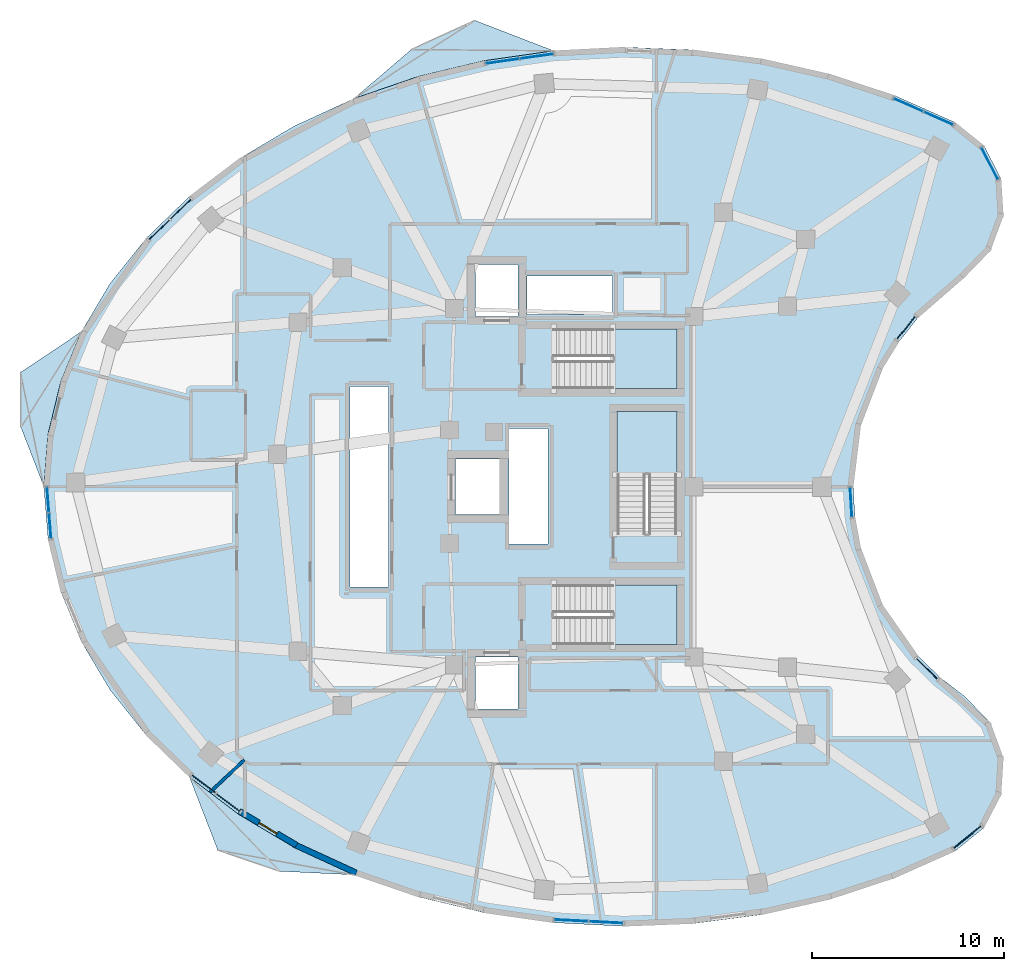
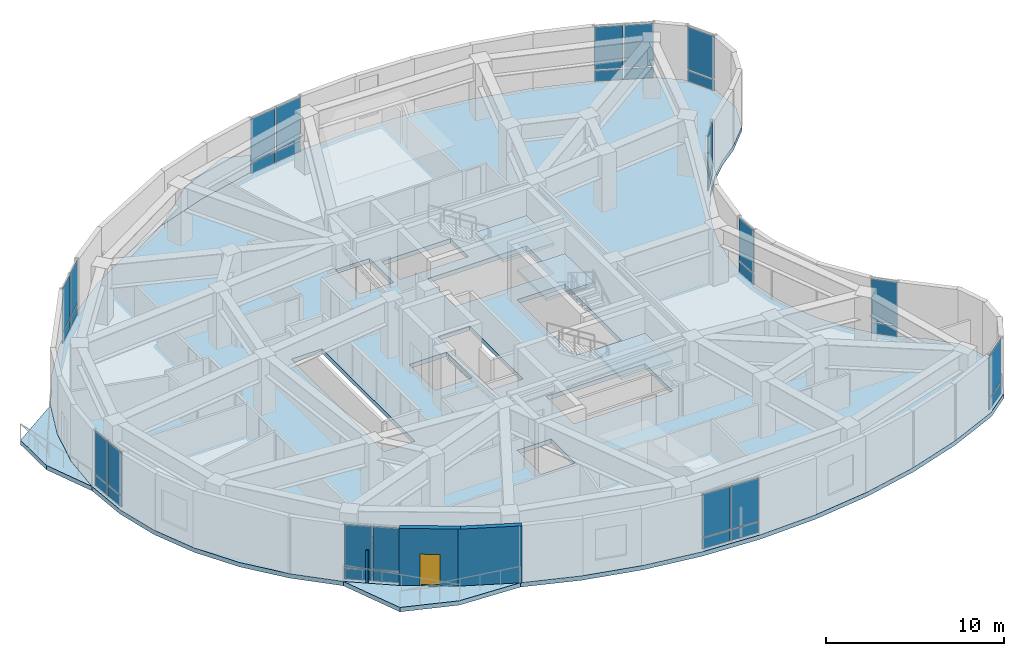
# One storey, part 7 of 14: 34 plates, 7 slabs, 3 walls, 1 door, 1 opening, 14 elements without a shape of their own.
"""IFC4 building model written with IfcOpenShell, lengths in metres."""

import ifcopenshell
import ifcopenshell.guid

model = None  # the IFC model being written
_history = None  # IfcOwnerHistory: only IFC2X3 demands one
_inside = {}  # id of a spatial element -> (the spatial element, [elements in it])
_under = {}  # id of a project, library or spatial element -> (it, [spatial elements below it])
_declared = {}  # id of a project -> (the project, [libraries it declares])
_typed = {}  # id of a type object -> (the type object, [elements of that type])
_made_of = {}  # id of a material, layer set ... -> (it, [elements and type objects made of it])


def new_model(schema):
    """Start an empty IFC model of exactly this schema.

    Asked for "IFC4X3", IfcOpenShell would pick the latest addendum, in which some entities
    have other attributes; the version numbers below select the first issue.
    IFC2X3 requires an IfcOwnerHistory on every rooted entity: one is made here for all.
    """
    global model, _history
    if schema == "IFC4X3":
        model = ifcopenshell.file(schema_version=(4, 3, 0, 0))
    else:
        model = ifcopenshell.file(schema=schema)
    _inside.clear()
    _under.clear()
    _declared.clear()
    _typed.clear()
    _made_of.clear()
    _history = None
    if model.schema == "IFC2X3":
        org = make("IfcOrganization", Name="unknown")
        user = make(
            "IfcPersonAndOrganization",
            ThePerson=make("IfcPerson", FamilyName="unknown"),
            TheOrganization=org,
        )
        app = make(
            "IfcApplication",
            ApplicationDeveloper=org,
            Version="unknown",
            ApplicationFullName="unknown",
            ApplicationIdentifier="unknown",
        )
        _history = make(
            "IfcOwnerHistory",
            OwningUser=user,
            OwningApplication=app,
            ChangeAction="ADDED",
            CreationDate=0,
        )
    return model


def make(cls, **values):
    """One entity of the class cls with the attributes given. An attribute that is None is left unset."""
    return model.create_entity(
        cls, **{name: value for name, value in values.items() if value is not None}
    )


def rooted(cls, **values):
    """An entity with a GlobalId (a new one), such as an element, a storey or a relation."""
    return make(cls, GlobalId=ifcopenshell.guid.new(), OwnerHistory=_history, **values)


def si_unit(unit_type, name, prefix=None):
    """IfcSIUnit, for example si_unit("LENGTHUNIT", "METRE", prefix="MILLI")."""
    return make("IfcSIUnit", UnitType=unit_type, Prefix=prefix, Name=name)


def assignment(units):
    """IfcUnitAssignment: the units of a project."""
    return None if units is None else make("IfcUnitAssignment", Units=units)


def point(xyz):
    """IfcCartesianPoint."""
    return None if xyz is None else make("IfcCartesianPoint", Coordinates=xyz)


def direction(xyz):
    """IfcDirection."""
    return None if xyz is None else make("IfcDirection", DirectionRatios=xyz)


def frame(location, z_axis=None, x_axis=None):
    """IfcAxis2Placement3D, a coordinate frame: its origin and axes. An axis left out is left unset."""
    return make(
        "IfcAxis2Placement3D",
        Location=point(location),
        Axis=direction(z_axis),
        RefDirection=direction(x_axis),
    )


def frame_2d(location, x_axis=None):
    """IfcAxis2Placement2D, a coordinate frame in the plane: its origin and x axis."""
    return make(
        "IfcAxis2Placement2D", Location=point(location), RefDirection=direction(x_axis)
    )


def origin():
    """The frame at (0, 0, 0) with its axes left unset."""
    return frame((0.0, 0.0, 0.0))


def origin_2d():
    """The frame at (0, 0) in the plane with its x axis left unset."""
    return frame_2d((0.0, 0.0))


def place(relative_to, where):
    """IfcLocalPlacement: puts the frame where relative to a parent placement (None: the world)."""
    return make(
        "IfcLocalPlacement", PlacementRelTo=relative_to, RelativePlacement=where
    )


def context(
    kind, dimensions, precision=None, world=None, true_north=None, identifier=None
):
    """IfcGeometricRepresentationContext, for example the 3D "Model" context."""
    return make(
        "IfcGeometricRepresentationContext",
        ContextIdentifier=identifier,
        ContextType=kind,
        CoordinateSpaceDimension=dimensions,
        Precision=precision,
        WorldCoordinateSystem=world,
        TrueNorth=true_north,
    )


def subcontext(parent, identifier, kind, view, scale=None):
    """IfcGeometricRepresentationSubContext, for example "Body" below "Model"."""
    return make(
        "IfcGeometricRepresentationSubContext",
        ContextIdentifier=identifier,
        ContextType=kind,
        ParentContext=parent,
        TargetScale=scale,
        TargetView=view,
    )


def project(units=None, contexts=None):
    """IfcProject with its units and contexts."""
    return rooted(
        "IfcProject",
        Name="project",
        RepresentationContexts=contexts,
        UnitsInContext=assignment(units),
    )


def spatial(cls, under=None, at=None, **own):
    """A site, building, storey or space (cls), placed at a placement, below another one or the project."""
    s = rooted(cls, ObjectPlacement=at, **own)
    if under is not None:
        _under.setdefault(under.id(), (under, []))[1].append(s)
    return s


def polyline(points):
    """IfcPolyline through the points."""
    return make("IfcPolyline", Points=[point(p) for p in points])


def profile(cls, at=None, kind="AREA", **sizes):
    """A parametric profile (cls). Its sizes go by their IFC names, for example OverallWidth=200.0."""
    return make(cls, ProfileType=kind, Position=at, **sizes)


def rectangle(**sizes):
    """IfcRectangleProfileDef."""
    return profile("IfcRectangleProfileDef", **sizes)


def outline(outer, holes=None, kind="AREA"):
    """IfcArbitraryClosedProfileDef: a profile drawn as a closed curve; with holes, ...WithVoids."""
    if holes is None:
        return make("IfcArbitraryClosedProfileDef", ProfileType=kind, OuterCurve=outer)
    return make(
        "IfcArbitraryProfileDefWithVoids",
        ProfileType=kind,
        OuterCurve=outer,
        InnerCurves=holes,
    )


def extrude(swept, where, along, depth):
    """IfcExtrudedAreaSolid: the profile swept, set in the frame where, extruded along a direction by depth."""
    return make(
        "IfcExtrudedAreaSolid",
        SweptArea=swept,
        Position=where,
        ExtrudedDirection=direction(along),
        Depth=depth,
    )


def shape(context_of_items, identifier, shape_type, items):
    """IfcShapeRepresentation: the items that make up one representation, for example the "Body"."""
    return make(
        "IfcShapeRepresentation",
        ContextOfItems=context_of_items,
        RepresentationIdentifier=identifier,
        RepresentationType=shape_type,
        Items=items,
    )


def material(Name=None, Category=None):
    """IfcMaterial."""
    return make("IfcMaterial", Name=Name, Category=Category)


def layer(
    of_material, thickness, ventilated=None, Name=None, Category=None, Priority=None
):
    """IfcMaterialLayer: one layer of a wall or slab, of a material (None: an air gap)."""
    return make(
        "IfcMaterialLayer",
        Material=of_material,
        LayerThickness=thickness,
        IsVentilated=ventilated,
        Name=Name,
        Category=Category,
        Priority=Priority,
    )


def layer_set(layers, Name=None):
    """IfcMaterialLayerSet."""
    return make("IfcMaterialLayerSet", MaterialLayers=layers, LayerSetName=Name)


def made_of(thing, what):
    """Note that an element or type object is made of a material, layer set ...; save() writes the relation."""
    if what is not None:
        _made_of.setdefault(what.id(), (what, []))[1].append(thing)
    return thing


def type_object(cls, material=None, **own):
    """A type object (cls), such as IfcWallType, which elements share."""
    return made_of(rooted(cls, **own), material)


def element(
    cls,
    number,
    at=None,
    inside=None,
    cuts=None,
    type_object=None,
    material=None,
    context=None,
    identifier="Body",
    shape_type=None,
    held_by="IfcProductDefinitionShape",
    body=None,
    shapes=None,
    **own,
):
    """One element of the class cls, such as IfcWall. Its Tag is "e" and its number.

    at: its placement. inside: the storey or other place that contains it. cuts: it is an
    opening in that element (IfcRelVoidsElement). A single representation is given by context,
    identifier, shape_type and body (its items); several are given by shapes. held_by: the class
    of the entity that holds the representations. save() writes the other relations.
    """
    e = rooted(cls, Tag="e%d" % number, ObjectPlacement=at, **own)
    if body is not None:
        shapes = [shape(context, identifier, shape_type, body)]
    if shapes is not None:
        e.Representation = make(held_by, Representations=shapes)
    if inside is not None:
        _inside.setdefault(inside.id(), (inside, []))[1].append(e)
    if cuts is not None:
        rooted(
            "IfcRelVoidsElement", RelatingBuildingElement=cuts, RelatedOpeningElement=e
        )
    if type_object is not None:
        _typed.setdefault(type_object.id(), (type_object, []))[1].append(e)
    return made_of(e, material)


def fill(opening, filler):
    """IfcRelFillsElement: the door or window that sits in an opening."""
    return rooted(
        "IfcRelFillsElement",
        RelatingOpeningElement=opening,
        RelatedBuildingElement=filler,
    )


def aggregate(whole, parts):
    """IfcRelAggregates: a whole, such as a stair, and the parts it consists of."""
    return rooted("IfcRelAggregates", RelatingObject=whole, RelatedObjects=parts)


def save(model, path):
    """Write the relations noted so far, then the file.

    IfcRelAggregates (storeys below a building ...), IfcRelContainedInSpatialStructure (elements
    in a storey), IfcRelDefinesByType, IfcRelAssociatesMaterial and IfcRelDeclares: one each for
    every whole, place, type object, material and project.
    """
    for whole, parts in _under.values():
        aggregate(whole, parts)
    for where, things in _inside.values():
        rooted(
            "IfcRelContainedInSpatialStructure",
            RelatedElements=things,
            RelatingStructure=where,
        )
    for kind, things in _typed.values():
        rooted("IfcRelDefinesByType", RelatedObjects=things, RelatingType=kind)
    for what, things in _made_of.values():
        rooted("IfcRelAssociatesMaterial", RelatedObjects=things, RelatingMaterial=what)
    for by, libraries in _declared.values():
        rooted("IfcRelDeclares", RelatingContext=by, RelatedDefinitions=libraries)
    model.write(path)


model = new_model("IFC4")

# Units and contexts
model_context = context("Model", 3, precision=1e-05, world=origin(), true_north=direction((0.0, 1.0)))
body_context = subcontext(model_context, "Body", "Model", "MODEL_VIEW")
ifc_project = project(units=[si_unit("LENGTHUNIT", "METRE"), si_unit("AREAUNIT", "SQUARE_METRE"), si_unit("VOLUMEUNIT", "CUBIC_METRE"), si_unit("PLANEANGLEUNIT", "RADIAN"), si_unit("MASSUNIT", "GRAM", prefix="KILO")], contexts=[model_context])

# Site, building, storey
site_placement = place(None, origin())
site = spatial("IfcSite", under=ifc_project, at=site_placement, CompositionType="ELEMENT")
building_placement = place(site_placement, origin())
building = spatial("IfcBuilding", under=site, at=building_placement, Name="Korentha Bioscience Tower", CompositionType="ELEMENT")
storey_placement = place(building_placement, frame((0.0, 0.0, 239.39990234375)))
storey = spatial("IfcBuildingStorey", under=building, at=storey_placement, Name="L55", CompositionType="ELEMENT", Elevation=239.39990234375)

# Curtain wall, plates
ifc_material_1 = material(Name="Thermally Broken Aluminium Frame", Category="aluminium")
ifc_layer_1 = layer(ifc_material_1, 0.219970703125, Name="Thermally Broken Aluminium Frame")
ifc_layer_set_1 = layer_set([ifc_layer_1], Name="Thermally Broken Aluminium Frame (CW-T1)")
curtain_wall_type = type_object("IfcCurtainWallType", Name="Standard Bioscience Lab Unitised Curtain Wall CW-T1", PredefinedType="USERDEFINED", material=ifc_layer_set_1)
curtain_wall_1_placement = place(storey_placement, origin())
curtain_wall_1 = element("IfcCurtainWall", 1, at=curtain_wall_1_placement, inside=storey, type_object=curtain_wall_type, Name="L55 Curtain Wall 01", ObjectType="UNITISED", PredefinedType="USERDEFINED")
ifc_material_2 = material(Name="Triple-Glazed Low-E Insulated Glass", Category="glass")
ifc_layer_2 = layer(ifc_material_2, 0.0439453125, Name="Triple-Glazed Low-E Insulated Glass")
ifc_layer_set_2 = layer_set([ifc_layer_2], Name="Triple-Glazed Low-E Insulated Glass (GL-44)")
plate_type = type_object("IfcPlateType", Name="Glazed Panel 44mm", PredefinedType="CURTAIN_PANEL", material=ifc_layer_set_2)
plate_1_placement = place(storey_placement, frame((50.25537109375, 46.142822265625, 0.08984375), z_axis=(0.0, 0.0, 1.0), x_axis=(-0.913943941578, 0.405840450983, 0.0)))
plate_1 = element("IfcPlate", 2, at=plate_1_placement, type_object=plate_type, Name="CW-L55-01 Bay 1 Glazed Panel 1", PredefinedType="CURTAIN_PANEL", context=body_context, shape_type="SweptSolid", body=[
    extrude(rectangle(XDim=1.624267578125, YDim=0.0439453125, at=origin_2d()), origin(), (0.0, 0.0, 1.0), 0.715087890625),
])
plate_2_placement = place(storey_placement, frame((50.25537109375, 46.142822265625, 0.89501953125), z_axis=(0.0, 0.0, 1.0), x_axis=(-0.913943941578, 0.405840450983, 0.0)))
plate_2 = element("IfcPlate", 3, at=plate_2_placement, type_object=plate_type, Name="CW-L55-01 Bay 1 Glazed Panel 2", PredefinedType="CURTAIN_PANEL", context=body_context, shape_type="SweptSolid", body=[
    extrude(rectangle(XDim=1.624267578125, YDim=0.0439453125, at=origin_2d()), origin(), (0.0, 0.0, 1.0), 2.9150390625),
])
plate_3_placement = place(storey_placement, frame((48.688720703125, 46.838623046875, 0.08984375), z_axis=(0.0, 0.0, 1.0), x_axis=(-0.913943941578, 0.405840450983, 0.0)))
plate_3 = element("IfcPlate", 4, at=plate_3_placement, type_object=plate_type, Name="CW-L55-01 Bay 2 Glazed Panel 1", PredefinedType="CURTAIN_PANEL", context=body_context, shape_type="SweptSolid", body=[
    extrude(rectangle(XDim=1.624267578125, YDim=0.0439453125, at=origin_2d()), origin(), (0.0, 0.0, 1.0), 0.715087890625),
])
plate_4_placement = place(storey_placement, frame((48.688720703125, 46.838623046875, 0.89501953125), z_axis=(0.0, 0.0, 1.0), x_axis=(-0.913943941578, 0.405840450983, 0.0)))
plate_4 = element("IfcPlate", 5, at=plate_4_placement, type_object=plate_type, Name="CW-L55-01 Bay 2 Glazed Panel 2", PredefinedType="CURTAIN_PANEL", context=body_context, shape_type="SweptSolid", body=[
    extrude(rectangle(XDim=1.624267578125, YDim=0.0439453125, at=origin_2d()), origin(), (0.0, 0.0, 1.0), 2.9150390625),
])
aggregate(curtain_wall_1, [plate_1, plate_2, plate_3, plate_4])

curtain_wall_2_placement = place(storey_placement, origin())
curtain_wall_2 = element("IfcCurtainWall", 6, at=curtain_wall_2_placement, inside=storey, type_object=curtain_wall_type, Name="L55 Curtain Wall 07", ObjectType="UNITISED", PredefinedType="USERDEFINED")
plate_5_placement = place(storey_placement, frame((29.373779296875, 49.370849609375, 0.08984375), z_axis=(0.0, 0.0, 1.0), x_axis=(-0.989901889134, -0.141754188259, 0.0)))
plate_5 = element("IfcPlate", 7, at=plate_5_placement, type_object=plate_type, Name="CW-L55-07 Bay 1 Glazed Panel 1", PredefinedType="CURTAIN_PANEL", context=body_context, shape_type="SweptSolid", body=[
    extrude(rectangle(XDim=1.7158203125, YDim=0.0439453125, at=origin_2d()), origin(), (0.0, 0.0, 1.0), 0.715087890625),
])
plate_6_placement = place(storey_placement, frame((29.373779296875, 49.370849609375, 0.89501953125), z_axis=(0.0, 0.0, 1.0), x_axis=(-0.989901889134, -0.141754188259, 0.0)))
plate_6 = element("IfcPlate", 8, at=plate_6_placement, type_object=plate_type, Name="CW-L55-07 Bay 1 Glazed Panel 2", PredefinedType="CURTAIN_PANEL", context=body_context, shape_type="SweptSolid", body=[
    extrude(rectangle(XDim=1.7158203125, YDim=0.0439453125, at=origin_2d()), origin(), (0.0, 0.0, 1.0), 2.9150390625),
])
plate_7_placement = place(storey_placement, frame((27.586181640625, 49.114990234375, 0.08984375), z_axis=(0.0, 0.0, 1.0), x_axis=(-0.989901889134, -0.141754188259, 0.0)))
plate_7 = element("IfcPlate", 9, at=plate_7_placement, type_object=plate_type, Name="CW-L55-07 Bay 2 Glazed Panel 1", PredefinedType="CURTAIN_PANEL", context=body_context, shape_type="SweptSolid", body=[
    extrude(rectangle(XDim=1.7158203125, YDim=0.0439453125, at=origin_2d()), origin(), (0.0, 0.0, 1.0), 0.715087890625),
])
plate_8_placement = place(storey_placement, frame((27.586181640625, 49.114990234375, 0.89501953125), z_axis=(0.0, 0.0, 1.0), x_axis=(-0.989901889134, -0.141754188259, 0.0)))
plate_8 = element("IfcPlate", 10, at=plate_8_placement, type_object=plate_type, Name="CW-L55-07 Bay 2 Glazed Panel 2", PredefinedType="CURTAIN_PANEL", context=body_context, shape_type="SweptSolid", body=[
    extrude(rectangle(XDim=1.7158203125, YDim=0.0439453125, at=origin_2d()), origin(), (0.0, 0.0, 1.0), 2.9150390625),
])
aggregate(curtain_wall_2, [plate_5, plate_6, plate_7, plate_8])

curtain_wall_3_placement = place(storey_placement, origin())
curtain_wall_3 = element("IfcCurtainWall", 11, at=curtain_wall_3_placement, inside=storey, type_object=curtain_wall_type, Name="L55 Curtain Wall 13", ObjectType="UNITISED", PredefinedType="USERDEFINED")
plate_9_placement = place(storey_placement, frame((10.87158203125, 41.42919921875, 0.08984375), z_axis=(0.0, 0.0, 1.0), x_axis=(-0.719000359175, -0.695009700297, 0.0)))
plate_9 = element("IfcPlate", 12, at=plate_9_placement, type_object=plate_type, Name="CW-L55-13 Bay 1 Glazed Panel 1", PredefinedType="CURTAIN_PANEL", context=body_context, shape_type="SweptSolid", body=[
    extrude(rectangle(XDim=1.46337890625, YDim=0.0439453125, at=origin_2d()), origin(), (0.0, 0.0, 1.0), 0.715087890625),
])
plate_10_placement = place(storey_placement, frame((10.87158203125, 41.42919921875, 0.89501953125), z_axis=(0.0, 0.0, 1.0), x_axis=(-0.719000359175, -0.695009700297, 0.0)))
plate_10 = element("IfcPlate", 13, at=plate_10_placement, type_object=plate_type, Name="CW-L55-13 Bay 1 Glazed Panel 2", PredefinedType="CURTAIN_PANEL", context=body_context, shape_type="SweptSolid", body=[
    extrude(rectangle(XDim=1.46337890625, YDim=0.0439453125, at=origin_2d()), origin(), (0.0, 0.0, 1.0), 2.9150390625),
])
plate_11_placement = place(storey_placement, frame((9.754638671875, 40.349609375, 0.08984375), z_axis=(0.0, 0.0, 1.0), x_axis=(-0.719000359175, -0.695009700297, 0.0)))
plate_11 = element("IfcPlate", 14, at=plate_11_placement, type_object=plate_type, Name="CW-L55-13 Bay 2 Glazed Panel 1", PredefinedType="CURTAIN_PANEL", context=body_context, shape_type="SweptSolid", body=[
    extrude(rectangle(XDim=1.46337890625, YDim=0.0439453125, at=origin_2d()), origin(), (0.0, 0.0, 1.0), 0.715087890625),
])
plate_12_placement = place(storey_placement, frame((9.754638671875, 40.349609375, 0.89501953125), z_axis=(0.0, 0.0, 1.0), x_axis=(-0.719000359175, -0.695009700297, 0.0)))
plate_12 = element("IfcPlate", 15, at=plate_12_placement, type_object=plate_type, Name="CW-L55-13 Bay 2 Glazed Panel 2", PredefinedType="CURTAIN_PANEL", context=body_context, shape_type="SweptSolid", body=[
    extrude(rectangle(XDim=1.46337890625, YDim=0.0439453125, at=origin_2d()), origin(), (0.0, 0.0, 1.0), 2.9150390625),
])
aggregate(curtain_wall_3, [plate_9, plate_10, plate_11, plate_12])

curtain_wall_4_placement = place(storey_placement, origin())
curtain_wall_4 = element("IfcCurtainWall", 16, at=curtain_wall_4_placement, inside=storey, type_object=curtain_wall_type, Name="L55 Curtain Wall 19", ObjectType="UNITISED", PredefinedType="USERDEFINED")
plate_13_placement = place(storey_placement, frame((3.971435546875, 26.3251953125, 0.08984375), z_axis=(0.0, 0.0, 1.0), x_axis=(0.07974803224, -0.996815053736, 0.0)))
plate_13 = element("IfcPlate", 17, at=plate_13_placement, type_object=plate_type, Name="CW-L55-19 Bay 1 Glazed Panel 1", PredefinedType="CURTAIN_PANEL", context=body_context, shape_type="SweptSolid", body=[
    extrude(rectangle(XDim=1.279541015625, YDim=0.0439453125, at=origin_2d()), origin(), (0.0, 0.0, 1.0), 0.715087890625),
])
plate_14_placement = place(storey_placement, frame((3.971435546875, 26.3251953125, 0.89501953125), z_axis=(0.0, 0.0, 1.0), x_axis=(0.07974803224, -0.996815053736, 0.0)))
plate_14 = element("IfcPlate", 18, at=plate_14_placement, type_object=plate_type, Name="CW-L55-19 Bay 1 Glazed Panel 2", PredefinedType="CURTAIN_PANEL", context=body_context, shape_type="SweptSolid", body=[
    extrude(rectangle(XDim=1.279541015625, YDim=0.0439453125, at=origin_2d()), origin(), (0.0, 0.0, 1.0), 2.9150390625),
])
plate_15_placement = place(storey_placement, frame((4.080810546875, 24.960205078125, 0.08984375), z_axis=(0.0, 0.0, 1.0), x_axis=(0.07974803224, -0.996815053736, 0.0)))
plate_15 = element("IfcPlate", 19, at=plate_15_placement, type_object=plate_type, Name="CW-L55-19 Bay 2 Glazed Panel 1", PredefinedType="CURTAIN_PANEL", context=body_context, shape_type="SweptSolid", body=[
    extrude(rectangle(XDim=1.279541015625, YDim=0.0439453125, at=origin_2d()), origin(), (0.0, 0.0, 1.0), 0.715087890625),
])
plate_16_placement = place(storey_placement, frame((4.080810546875, 24.960205078125, 0.89501953125), z_axis=(0.0, 0.0, 1.0), x_axis=(0.07974803224, -0.996815053736, 0.0)))
plate_16 = element("IfcPlate", 20, at=plate_16_placement, type_object=plate_type, Name="CW-L55-19 Bay 2 Glazed Panel 2", PredefinedType="CURTAIN_PANEL", context=body_context, shape_type="SweptSolid", body=[
    extrude(rectangle(XDim=1.279541015625, YDim=0.0439453125, at=origin_2d()), origin(), (0.0, 0.0, 1.0), 2.9150390625),
])
aggregate(curtain_wall_4, [plate_13, plate_14, plate_15, plate_16])

curtain_wall_5_placement = place(storey_placement, origin())
curtain_wall_5 = element("IfcCurtainWall", 21, at=curtain_wall_5_placement, inside=storey, type_object=curtain_wall_type, Name="L55 Curtain Wall 25", ObjectType="UNITISED", PredefinedType="USERDEFINED")
plate_17_placement = place(storey_placement, frame((12.063720703125, 11.55126953125, 0.08984375), z_axis=(0.0, 0.0, 1.0), x_axis=(0.796889131105, -0.604125576951, 0.0)))
plate_17 = element("IfcPlate", 22, at=plate_17_placement, type_object=plate_type, Name="CW-L55-25 Bay 1 Glazed Panel 1", PredefinedType="CURTAIN_PANEL", context=body_context, shape_type="SweptSolid", body=[
    extrude(rectangle(XDim=1.517822265625, YDim=0.0439453125, at=origin_2d()), origin(), (0.0, 0.0, 1.0), 0.715087890625),
])
plate_18_placement = place(storey_placement, frame((12.063720703125, 11.55126953125, 0.89501953125), z_axis=(0.0, 0.0, 1.0), x_axis=(0.796889131105, -0.604125576951, 0.0)))
plate_18 = element("IfcPlate", 23, at=plate_18_placement, type_object=plate_type, Name="CW-L55-25 Bay 1 Glazed Panel 2", PredefinedType="CURTAIN_PANEL", context=body_context, shape_type="SweptSolid", body=[
    extrude(rectangle(XDim=1.517822265625, YDim=0.0439453125, at=origin_2d()), origin(), (0.0, 0.0, 1.0), 2.9150390625),
])
plate_19_placement = place(storey_placement, frame((13.344970703125, 10.579833984375, 0.08984375), z_axis=(0.0, 0.0, 1.0), x_axis=(0.796889131105, -0.604125576951, 0.0)))
plate_19 = element("IfcPlate", 24, at=plate_19_placement, type_object=plate_type, Name="CW-L55-25 Bay 2 Glazed Panel 1", PredefinedType="CURTAIN_PANEL", context=body_context, shape_type="SweptSolid", body=[
    extrude(rectangle(XDim=1.517822265625, YDim=0.0439453125, at=origin_2d()), origin(), (0.0, 0.0, 1.0), 0.715087890625),
])
plate_20_placement = place(storey_placement, frame((13.344970703125, 10.579833984375, 0.89501953125), z_axis=(0.0, 0.0, 1.0), x_axis=(0.796889131105, -0.604125576951, 0.0)))
plate_20 = element("IfcPlate", 25, at=plate_20_placement, type_object=plate_type, Name="CW-L55-25 Bay 2 Glazed Panel 2", PredefinedType="CURTAIN_PANEL", context=body_context, shape_type="SweptSolid", body=[
    extrude(rectangle(XDim=1.517822265625, YDim=0.0439453125, at=origin_2d()), origin(), (0.0, 0.0, 1.0), 2.9150390625),
])
aggregate(curtain_wall_5, [plate_17, plate_18, plate_19, plate_20])

curtain_wall_6_placement = place(storey_placement, origin())
curtain_wall_6 = element("IfcCurtainWall", 26, at=curtain_wall_6_placement, inside=storey, type_object=curtain_wall_type, Name="L55 Curtain Wall 31", ObjectType="UNITISED", PredefinedType="USERDEFINED")
plate_21_placement = place(storey_placement, frame((31.170654296875, 4.455078125, 0.08984375), z_axis=(0.0, 0.0, 1.0), x_axis=(0.998695818107, -0.051055488397, 0.0)))
plate_21 = element("IfcPlate", 27, at=plate_21_placement, type_object=plate_type, Name="CW-L55-31 Bay 1 Glazed Panel 1", PredefinedType="CURTAIN_PANEL", context=body_context, shape_type="SweptSolid", body=[
    extrude(rectangle(XDim=1.727783203125, YDim=0.0439453125, at=origin_2d()), origin(), (0.0, 0.0, 1.0), 0.715087890625),
])
plate_22_placement = place(storey_placement, frame((31.170654296875, 4.455078125, 0.89501953125), z_axis=(0.0, 0.0, 1.0), x_axis=(0.998695818107, -0.051055488397, 0.0)))
plate_22 = element("IfcPlate", 28, at=plate_22_placement, type_object=plate_type, Name="CW-L55-31 Bay 1 Glazed Panel 2", PredefinedType="CURTAIN_PANEL", context=body_context, shape_type="SweptSolid", body=[
    extrude(rectangle(XDim=1.727783203125, YDim=0.0439453125, at=origin_2d()), origin(), (0.0, 0.0, 1.0), 2.9150390625),
])
plate_23_placement = place(storey_placement, frame((32.98583984375, 4.3623046875, 0.08984375), z_axis=(0.0, 0.0, 1.0), x_axis=(0.998695818107, -0.051055488397, 0.0)))
plate_23 = element("IfcPlate", 29, at=plate_23_placement, type_object=plate_type, Name="CW-L55-31 Bay 2 Glazed Panel 1", PredefinedType="CURTAIN_PANEL", context=body_context, shape_type="SweptSolid", body=[
    extrude(rectangle(XDim=1.727783203125, YDim=0.0439453125, at=origin_2d()), origin(), (0.0, 0.0, 1.0), 0.715087890625),
])
plate_24_placement = place(storey_placement, frame((32.98583984375, 4.3623046875, 0.89501953125), z_axis=(0.0, 0.0, 1.0), x_axis=(0.998695818107, -0.051055488397, 0.0)))
plate_24 = element("IfcPlate", 30, at=plate_24_placement, type_object=plate_type, Name="CW-L55-31 Bay 2 Glazed Panel 2", PredefinedType="CURTAIN_PANEL", context=body_context, shape_type="SweptSolid", body=[
    extrude(rectangle(XDim=1.727783203125, YDim=0.0439453125, at=origin_2d()), origin(), (0.0, 0.0, 1.0), 2.9150390625),
])
aggregate(curtain_wall_6, [plate_21, plate_22, plate_23, plate_24])

curtain_wall_7_placement = place(storey_placement, origin())
curtain_wall_7 = element("IfcCurtainWall", 31, at=curtain_wall_7_placement, inside=storey, type_object=curtain_wall_type, Name="L55 Curtain Wall 37", ObjectType="UNITISED", PredefinedType="USERDEFINED")
plate_25_placement = place(storey_placement, frame((51.76025390625, 8.790771484375, 0.08984375), z_axis=(0.0, 0.0, 1.0), x_axis=(0.779197616162, 0.626778330008, 0.0)))
plate_25 = element("IfcPlate", 32, at=plate_25_placement, type_object=plate_type, Name="CW-L55-37 Bay 1 Glazed Panel 1", PredefinedType="CURTAIN_PANEL", context=body_context, shape_type="SweptSolid", body=[
    extrude(rectangle(XDim=1.83154296875, YDim=0.0439453125, at=origin_2d()), origin(), (0.0, 0.0, 1.0), 0.715087890625),
])
plate_26_placement = place(storey_placement, frame((51.76025390625, 8.790771484375, 0.89501953125), z_axis=(0.0, 0.0, 1.0), x_axis=(0.779197616162, 0.626778330008, 0.0)))
plate_26 = element("IfcPlate", 33, at=plate_26_placement, type_object=plate_type, Name="CW-L55-37 Bay 1 Glazed Panel 2", PredefinedType="CURTAIN_PANEL", context=body_context, shape_type="SweptSolid", body=[
    extrude(rectangle(XDim=1.83154296875, YDim=0.0439453125, at=origin_2d()), origin(), (0.0, 0.0, 1.0), 2.9150390625),
])
aggregate(curtain_wall_7, [plate_25, plate_26])

curtain_wall_8_placement = place(storey_placement, origin())
curtain_wall_8 = element("IfcCurtainWall", 34, at=curtain_wall_8_placement, inside=storey, type_object=curtain_wall_type, Name="L55 Curtain Wall 43", ObjectType="UNITISED", PredefinedType="USERDEFINED")
plate_27_placement = place(storey_placement, frame((49.651611328125, 17.537109375, 0.08984375), z_axis=(0.0, 0.0, 1.0), x_axis=(-0.713258270268, 0.700901305388, 0.0)))
plate_27 = element("IfcPlate", 35, at=plate_27_placement, type_object=plate_type, Name="CW-L55-43 Bay 1 Glazed Panel 1", PredefinedType="CURTAIN_PANEL", context=body_context, shape_type="SweptSolid", body=[
    extrude(rectangle(XDim=1.50341796875, YDim=0.0439453125, at=origin_2d()), origin(), (0.0, 0.0, 1.0), 0.715087890625),
])
plate_28_placement = place(storey_placement, frame((49.651611328125, 17.537109375, 0.89501953125), z_axis=(0.0, 0.0, 1.0), x_axis=(-0.713258270268, 0.700901305388, 0.0)))
plate_28 = element("IfcPlate", 36, at=plate_28_placement, type_object=plate_type, Name="CW-L55-43 Bay 1 Glazed Panel 2", PredefinedType="CURTAIN_PANEL", context=body_context, shape_type="SweptSolid", body=[
    extrude(rectangle(XDim=1.50341796875, YDim=0.0439453125, at=origin_2d()), origin(), (0.0, 0.0, 1.0), 2.9150390625),
])
aggregate(curtain_wall_8, [plate_27, plate_28])

curtain_wall_9_placement = place(storey_placement, origin())
curtain_wall_9 = element("IfcCurtainWall", 37, at=curtain_wall_9_placement, inside=storey, type_object=curtain_wall_type, Name="L55 Curtain Wall 49", ObjectType="UNITISED", PredefinedType="USERDEFINED")
plate_29_placement = place(storey_placement, frame((45.708251953125, 26.190185546875, 0.08984375), z_axis=(0.0, 0.0, 1.0), x_axis=(-0.06095424178, 0.998140561449, 0.0)))
plate_29 = element("IfcPlate", 38, at=plate_29_placement, type_object=plate_type, Name="CW-L55-49 Bay 1 Glazed Panel 1", PredefinedType="CURTAIN_PANEL", context=body_context, shape_type="SweptSolid", body=[
    extrude(rectangle(XDim=1.503173828125, YDim=0.0439453125, at=origin_2d()), origin(), (0.0, 0.0, 1.0), 0.715087890625),
])
plate_30_placement = place(storey_placement, frame((45.708251953125, 26.190185546875, 0.89501953125), z_axis=(0.0, 0.0, 1.0), x_axis=(-0.06095424178, 0.998140561449, 0.0)))
plate_30 = element("IfcPlate", 39, at=plate_30_placement, type_object=plate_type, Name="CW-L55-49 Bay 1 Glazed Panel 2", PredefinedType="CURTAIN_PANEL", context=body_context, shape_type="SweptSolid", body=[
    extrude(rectangle(XDim=1.503173828125, YDim=0.0439453125, at=origin_2d()), origin(), (0.0, 0.0, 1.0), 2.9150390625),
])
aggregate(curtain_wall_9, [plate_29, plate_30])

curtain_wall_10_placement = place(storey_placement, origin())
curtain_wall_10 = element("IfcCurtainWall", 40, at=curtain_wall_10_placement, inside=storey, type_object=curtain_wall_type, Name="L55 Curtain Wall 55", ObjectType="UNITISED", PredefinedType="USERDEFINED")
plate_31_placement = place(storey_placement, frame((48.567626953125, 35.259033203125, 0.08984375), z_axis=(0.0, 0.0, 1.0), x_axis=(0.622511989066, 0.782610262819, 0.0)))
plate_31 = element("IfcPlate", 41, at=plate_31_placement, type_object=plate_type, Name="CW-L55-55 Bay 1 Glazed Panel 1", PredefinedType="CURTAIN_PANEL", context=body_context, shape_type="SweptSolid", body=[
    extrude(rectangle(XDim=1.50341796875, YDim=0.0439453125, at=origin_2d()), origin(), (0.0, 0.0, 1.0), 0.715087890625),
])
plate_32_placement = place(storey_placement, frame((48.567626953125, 35.259033203125, 0.89501953125), z_axis=(0.0, 0.0, 1.0), x_axis=(0.622511989066, 0.782610262819, 0.0)))
plate_32 = element("IfcPlate", 42, at=plate_32_placement, type_object=plate_type, Name="CW-L55-55 Bay 1 Glazed Panel 2", PredefinedType="CURTAIN_PANEL", context=body_context, shape_type="SweptSolid", body=[
    extrude(rectangle(XDim=1.50341796875, YDim=0.0439453125, at=origin_2d()), origin(), (0.0, 0.0, 1.0), 2.9150390625),
])
aggregate(curtain_wall_10, [plate_31, plate_32])

curtain_wall_11_placement = place(storey_placement, origin())
curtain_wall_11 = element("IfcCurtainWall", 43, at=curtain_wall_11_placement, inside=storey, type_object=curtain_wall_type, Name="L55 Curtain Wall 61", ObjectType="UNITISED", PredefinedType="USERDEFINED")
plate_33_placement = place(storey_placement, frame((52.914794921875, 43.79736328125, 0.08984375), z_axis=(0.0, 0.0, 1.0), x_axis=(-0.459738031963, 0.888054582763, 0.0)))
plate_33 = element("IfcPlate", 44, at=plate_33_placement, type_object=plate_type, Name="CW-L55-61 Bay 1 Glazed Panel 1", PredefinedType="CURTAIN_PANEL", context=body_context, shape_type="SweptSolid", body=[
    extrude(rectangle(XDim=1.831298828125, YDim=0.0439453125, at=origin_2d()), origin(), (0.0, 0.0, 1.0), 0.715087890625),
])
plate_34_placement = place(storey_placement, frame((52.914794921875, 43.79736328125, 0.89501953125), z_axis=(0.0, 0.0, 1.0), x_axis=(-0.459738031963, 0.888054582763, 0.0)))
plate_34 = element("IfcPlate", 45, at=plate_34_placement, type_object=plate_type, Name="CW-L55-61 Bay 1 Glazed Panel 2", PredefinedType="CURTAIN_PANEL", context=body_context, shape_type="SweptSolid", body=[
    extrude(rectangle(XDim=1.831298828125, YDim=0.0439453125, at=origin_2d()), origin(), (0.0, 0.0, 1.0), 2.9150390625),
])
aggregate(curtain_wall_11, [plate_33, plate_34])

# Slab
ifc_material_3 = material(Name="Concrete C50", Category="concrete")
ifc_layer_3 = layer(ifc_material_3, 0.300048828125, Name="Concrete C50")
ifc_layer_set_3 = layer_set([ifc_layer_3], Name="Concrete C50 (SL-L300)")
slab_type_1 = type_object("IfcSlabType", Name="Laboratory Vibration-Controlled Slab 300", PredefinedType="FLOOR", material=ifc_layer_set_3)
slab_1_placement = place(storey_placement, frame((0.0, 0.0, -0.2998046875)))
element("IfcSlab", 46, at=slab_1_placement, inside=storey, type_object=slab_type_1, Name="L55 Tower Structural Floor Slab", PredefinedType="FLOOR", context=body_context, shape_type="SweptSolid", body=[
    extrude(outline(polyline([(51.108154296875, 45.939208984375), (47.9658203125, 47.334716796875), (44.623291015625, 48.4365234375), (41.129638671875, 49.22900390625), (37.53466796875, 49.700439453125), (33.890380859375, 49.843994140625), (30.249755859375, 49.657958984375), (26.664794921875, 49.14453125), (23.187744140625, 48.3115234375), (19.86865234375, 47.1708984375), (16.75537109375, 45.73876953125), (13.892822265625, 44.0361328125), (11.322509765625, 42.087646484375), (9.081298828125, 39.921142578125), (7.201904296875, 37.568115234375), (5.711181640625, 35.0625), (4.630859375, 32.440673828125), (3.976318359375, 29.739990234375), (3.757080078125, 27.0), (3.976318359375, 24.260009765625), (4.630859375, 21.559326171875), (5.711181640625, 18.9375), (7.201904296875, 16.431884765625), (9.081298828125, 14.078857421875), (11.322509765625, 11.912353515625), (13.892822265625, 9.9638671875), (16.75537109375, 8.26123046875), (19.86865234375, 6.8291015625), (23.187744140625, 5.6884765625), (26.664794921875, 4.85546875), (30.249755859375, 4.342041015625), (33.890380859375, 4.156005859375), (37.53466796875, 4.299560546875), (41.129638671875, 4.77099609375), (44.623291015625, 5.5634765625), (47.9658203125, 6.665283203125), (51.108154296875, 8.060791015625), (52.613037109375, 9.271484375), (53.5009765625, 10.986572265625), (53.62060546875, 12.914306640625), (52.951416015625, 14.72607421875), (51.607421875, 16.11328125), (50.33544921875, 17.08935546875), (49.19189453125, 18.213134765625), (48.19384765625, 19.468017578125), (47.35595703125, 20.8349609375), (46.691162109375, 22.2939453125), (46.208984375, 23.8232421875), (45.916748046875, 25.399658203125), (45.819091796875, 27.0), (45.916748046875, 28.600341796875), (46.208984375, 30.1767578125), (46.691162109375, 31.7060546875), (47.35595703125, 33.1650390625), (48.19384765625, 34.531982421875), (49.19189453125, 35.786865234375), (50.33544921875, 36.91064453125), (51.607421875, 37.88671875), (52.951416015625, 39.27392578125), (53.62060546875, 41.085693359375), (53.5009765625, 43.013427734375), (52.613037109375, 44.728515625), (51.108154296875, 45.939208984375)]), holes=[polyline([(30.25, 32.10009765625), (36.64990234375, 32.10009765625), (36.64990234375, 35.199951171875), (30.25, 35.199951171875), (30.25, 32.10009765625)]), polyline([(30.25, 18.800048828125), (36.64990234375, 18.800048828125), (36.64990234375, 21.89990234375), (30.25, 21.89990234375), (30.25, 18.800048828125)]), polyline([(36.64990234375, 24.550048828125), (36.64990234375, 30.89990234375), (33.550048828125, 30.89990234375), (33.550048828125, 24.550048828125), (36.64990234375, 24.550048828125)]), polyline([(19.679931640625, 21.780029296875), (21.669921875, 21.780029296875), (21.669921875, 32.219970703125), (19.679931640625, 32.219970703125), (19.679931640625, 21.780029296875)]), polyline([(27.929931640625, 24.030029296875), (29.969970703125, 24.030029296875), (29.969970703125, 30.02001953125), (27.929931640625, 30.02001953125), (27.929931640625, 24.030029296875)]), polyline([(28.860107421875, 35.93994140625), (33.31005859375, 35.93994140625), (33.31005859375, 37.9599609375), (28.860107421875, 37.9599609375), (28.860107421875, 35.93994140625)]), polyline([(26.199951171875, 15.449951171875), (28.39990234375, 15.449951171875), (28.39990234375, 18.14990234375), (26.199951171875, 18.14990234375), (26.199951171875, 15.449951171875)]), polyline([(26.199951171875, 35.85009765625), (28.39990234375, 35.85009765625), (28.39990234375, 38.550048828125), (26.199951171875, 38.550048828125), (26.199951171875, 35.85009765625)]), polyline([(25.14990234375, 25.550048828125), (27.550048828125, 25.550048828125), (27.550048828125, 28.449951171875), (25.14990234375, 28.449951171875), (25.14990234375, 25.550048828125)])]), origin(), (0.0, 0.0, 1.0), 0.2998046875),
])

# Stair, slab
ifc_material_4 = material(Name="Precast Concrete C50", Category="concrete")
stair_type = type_object("IfcStairType", Name="Core Exit Dog-Leg Stair 1450", PredefinedType="HALF_TURN_STAIR", material=ifc_material_4)
stair_1_placement = place(storey_placement, origin())
stair_1 = element("IfcStair", 47, at=stair_1_placement, inside=storey, type_object=stair_type, Name="L55 Tower North Pressurized Exit Stair ST-1", PredefinedType="HALF_TURN_STAIR")
ifc_layer_4 = layer(ifc_material_3, 0.199951171875, Name="Concrete C50")
ifc_layer_set_4 = layer_set([ifc_layer_4], Name="Concrete C50 (SL-LND)")
slab_type_2 = type_object("IfcSlabType", Name="Landing Slab 200", PredefinedType="LANDING", material=ifc_layer_set_4)
slab_2_placement = place(storey_placement, frame((0.0, 0.0, 1.900146484375)))
slab_2 = element("IfcSlab", 48, at=slab_2_placement, type_object=slab_type_2, Name="ST-1 landing 1", PredefinedType="LANDING", context=body_context, shape_type="SweptSolid", body=[
    extrude(outline(polyline([(33.330078125, 32.10009765625), (36.64990234375, 32.10009765625), (36.64990234375, 35.199951171875), (33.330078125, 35.199951171875), (33.330078125, 32.10009765625)])), origin(), (0.0, 0.0, 1.0), 0.199951171875),
])
aggregate(stair_1, [slab_2])

stair_2_placement = place(storey_placement, origin())
stair_2 = element("IfcStair", 49, at=stair_2_placement, inside=storey, type_object=stair_type, Name="L55 Tower South Pressurized Exit Stair ST-2", PredefinedType="HALF_TURN_STAIR")
slab_3_placement = place(storey_placement, frame((0.0, 0.0, 1.900146484375)))
slab_3 = element("IfcSlab", 50, at=slab_3_placement, type_object=slab_type_2, Name="ST-2 landing 1", PredefinedType="LANDING", context=body_context, shape_type="SweptSolid", body=[
    extrude(outline(polyline([(33.330078125, 18.800048828125), (36.64990234375, 18.800048828125), (36.64990234375, 21.89990234375), (33.330078125, 21.89990234375), (33.330078125, 18.800048828125)])), origin(), (0.0, 0.0, 1.0), 0.199951171875),
])
aggregate(stair_2, [slab_3])

stair_3_placement = place(storey_placement, origin())
stair_3 = element("IfcStair", 51, at=stair_3_placement, inside=storey, type_object=stair_type, Name="L55 Tower Central Pressurized Exit Stair ST-3", PredefinedType="HALF_TURN_STAIR")
slab_4_placement = place(storey_placement, frame((0.0, 0.0, 1.900146484375)))
slab_4 = element("IfcSlab", 52, at=slab_4_placement, type_object=slab_type_2, Name="ST-3 landing 1", PredefinedType="LANDING", context=body_context, shape_type="SweptSolid", body=[
    extrude(outline(polyline([(36.64990234375, 27.6298828125), (36.64990234375, 30.89990234375), (33.550048828125, 30.89990234375), (33.550048828125, 27.6298828125), (36.64990234375, 27.6298828125)])), origin(), (0.0, 0.0, 1.0), 0.199951171875),
])
aggregate(stair_3, [slab_4])

# Slabs
ifc_layer_5 = layer(ifc_material_3, 0.300048828125, Name="Concrete C50")
ifc_layer_set_5 = layer_set([ifc_layer_5], Name="Concrete C50 (BS-240)")
slab_type_3 = type_object("IfcSlabType", Name="Sawtooth Sun-Ledge Balcony Slab 240", PredefinedType="USERDEFINED", material=ifc_layer_set_5)
slab_5_placement = place(storey_placement, frame((0.0, 0.0, -0.2998046875)))
element("IfcSlab", 53, at=slab_5_placement, inside=storey, type_object=slab_type_3, Name="L55 Sun-Ledge Balcony 01", ObjectType="BALCONY", PredefinedType="USERDEFINED", context=body_context, shape_type="SweptSolid", body=[
    extrude(outline(polyline([(19.86865234375, 47.1708984375), (23.187744140625, 48.3115234375), (26.664794921875, 49.14453125), (30.249755859375, 49.657958984375), (26.163818359375, 51.2353515625), (22.85009765625, 49.7216796875), (19.86865234375, 47.1708984375)])), origin(), (0.0, 0.0, 1.0), 0.2998046875),
])
slab_6_placement = place(storey_placement, frame((0.0, 0.0, -0.2998046875)))
element("IfcSlab", 54, at=slab_6_placement, inside=storey, type_object=slab_type_3, Name="L55 Sun-Ledge Balcony 02", ObjectType="BALCONY", PredefinedType="USERDEFINED", context=body_context, shape_type="SweptSolid", body=[
    extrude(outline(polyline([(3.757080078125, 27.0), (3.976318359375, 29.739990234375), (4.630859375, 32.440673828125), (5.711181640625, 35.0625), (2.541259765625, 32.947021484375), (2.56689453125, 30.081787109375), (3.757080078125, 27.0)])), origin(), (0.0, 0.0, 1.0), 0.2998046875),
])
slab_7_placement = place(storey_placement, frame((0.0, 0.0, -0.2998046875)))
element("IfcSlab", 55, at=slab_7_placement, inside=storey, type_object=slab_type_3, Name="L55 Sun-Ledge Balcony 03", ObjectType="BALCONY", PredefinedType="USERDEFINED", context=body_context, shape_type="SweptSolid", body=[
    extrude(outline(polyline([(19.86865234375, 6.8291015625), (16.75537109375, 8.26123046875), (13.892822265625, 9.9638671875), (11.322509765625, 11.912353515625), (12.793701171875, 8.115966796875), (16.01416015625, 7.01513671875), (19.86865234375, 6.8291015625)])), origin(), (0.0, 0.0, 1.0), 0.2998046875),
])

# Wall
ifc_material_5 = material(Name="Gypsum-Clad Steel Stud", Category="steel")
ifc_layer_6 = layer(ifc_material_5, 0.159912109375, Name="Gypsum-Clad Steel Stud")
ifc_layer_set_6 = layer_set([ifc_layer_6], Name="Gypsum-Clad Steel Stud (IW-C160)")
wall_type_1 = type_object("IfcWallType", Name="Fire-Rated Corridor Partition Wall 160", PredefinedType="PARTITIONING", material=ifc_layer_set_6)
wall_1_placement = place(storey_placement, frame((14.17529296875, 12.79931640625, 0.0), z_axis=(0.0, 0.0, 1.0), x_axis=(-0.728528819482, -0.685015152521, 0.0)))
element("IfcWall", 56, at=wall_1_placement, inside=storey, type_object=wall_type_1, Name="L55 Interior Partition 027", PredefinedType="PARTITIONING", context=body_context, shape_type="SweptSolid", body=[
    extrude(rectangle(XDim=2.440673828125, YDim=0.159912109375, at=frame_2d((1.22021484375, 0.0))), origin(), (0.0, 0.0, 1.0), 2.22021484375),
])

# Wall, opening, door
ifc_material_6 = material(Name="Honed Limestone Precast Concrete C40", Category="masonry")
ifc_layer_7 = layer(ifc_material_6, 0.300048828125, Name="Honed Limestone Precast Concrete C40")
ifc_layer_set_7 = layer_set([ifc_layer_7], Name="Honed Limestone Precast Concrete C40 (EW-ST300)")
wall_type_2 = type_object("IfcWallType", Name="Honed Limestone Cavity Spandrel Wall 300", PredefinedType="STANDARD", material=ifc_layer_set_7)
wall_2_placement = place(storey_placement, frame((13.923095703125, 10.132080078125, 0.0), z_axis=(0.0, 0.0, 1.0), x_axis=(0.859459434124, -0.511203952543, 0.0)))
wall_2 = element("IfcWall", 57, at=wall_2_placement, inside=storey, type_object=wall_type_2, Name="L55 Balcony Threshold Wall 03", PredefinedType="STANDARD", context=body_context, shape_type="SweptSolid", body=[
    extrude(rectangle(XDim=3.450439453125, YDim=0.300048828125, at=frame_2d((1.72509765625, 0.0))), origin(), (0.0, 0.0, 1.0), 3.900146484375),
])
opening_placement = place(wall_2_placement, frame((1.17529296875, 0.0, 0.0)))
opening = element("IfcOpeningElement", 58, at=opening_placement, cuts=wall_2, Name="Opening BD-11L", PredefinedType="OPENING", context=body_context, shape_type="SweptSolid", body=[
    extrude(rectangle(XDim=1.10009765625, YDim=2.14990234375, at=frame_2d((0.550048828125, 1.074951171875))), frame((0.0, 0.1650390625, 0.0), z_axis=(0.0, -1.0, 0.0), x_axis=(1.0, 0.0, 0.0)), (0.0, 0.0, 1.0), 0.329833984375),
])
ifc_material_7 = material(Name="Thermally Broken Glazed Aluminium", Category="aluminium")
door_type = type_object("IfcDoorType", Name="Balcony Terrace Glazed Door 1100x2150 Left", OperationType="SINGLE_SWING_LEFT", PredefinedType="DOOR", material=ifc_material_7)
door_placement = place(opening_placement, origin())
door = element("IfcDoor", 59, at=door_placement, inside=storey, type_object=door_type, Name="L55 Balcony Access Door 03", OperationType="SINGLE_SWING_LEFT", OverallHeight=2.14990234375, OverallWidth=1.10009765625, PredefinedType="DOOR", context=body_context, shape_type="SweptSolid", body=[
    extrude(rectangle(XDim=1.10009765625, YDim=2.14990234375, at=frame_2d((0.550048828125, 1.074951171875))), frame((0.0, 0.02490234375, 0.0), z_axis=(0.0, -1.0, 0.0), x_axis=(1.0, 0.0, 0.0)), (0.0, 0.0, 1.0), 0.050048828125),
])
fill(opening, door)

# Wall
wall_3_placement = place(storey_placement, frame((16.7412109375, 8.421875, 0.0), z_axis=(0.0, 0.0, 1.0), x_axis=(0.908506474671, -0.417870776055, 0.0)))
element("IfcWall", 60, at=wall_3_placement, inside=storey, type_object=wall_type_2, Name="L55 Limestone Perimeter Closure Wall 27", PredefinedType="STANDARD", context=body_context, shape_type="SweptSolid", body=[
    extrude(rectangle(XDim=3.586669921875, YDim=0.300048828125, at=frame_2d((1.79345703125, 0.0))), origin(), (0.0, 0.0, 1.0), 3.900146484375),
])

save(model, "model.ifc")
